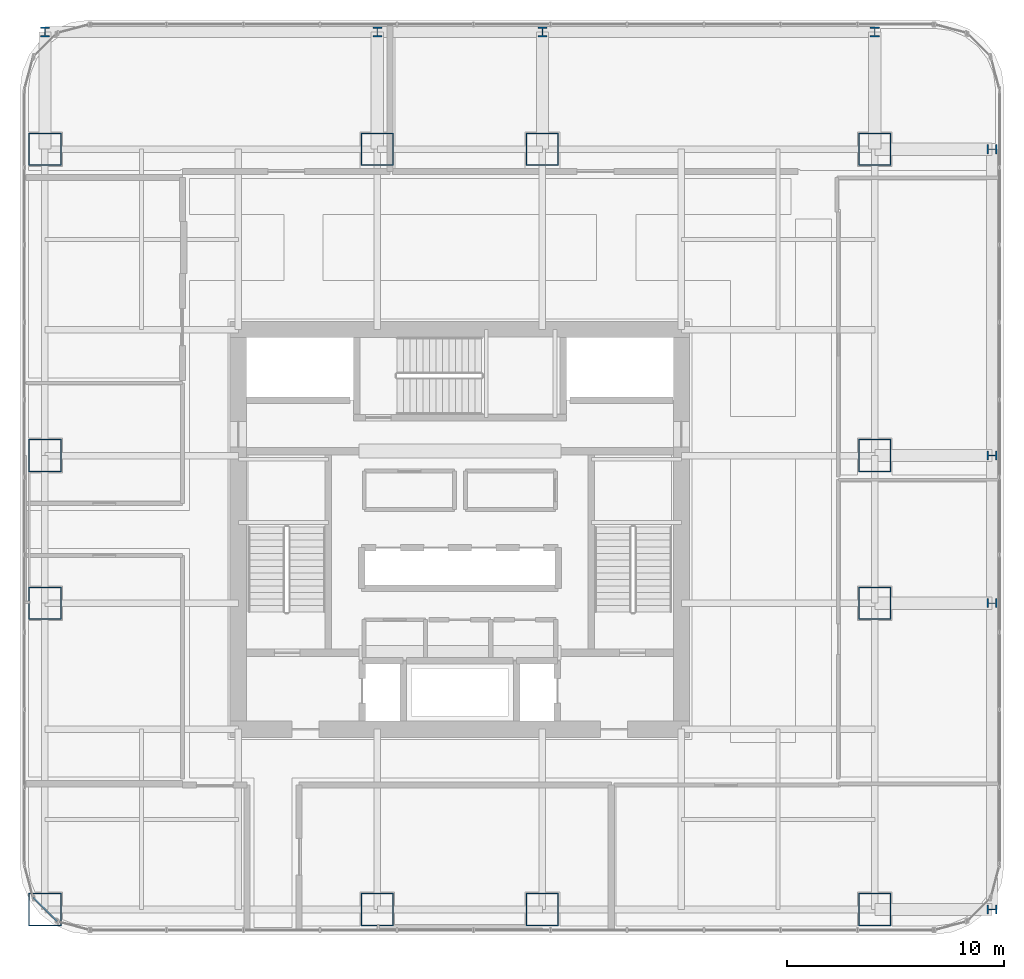
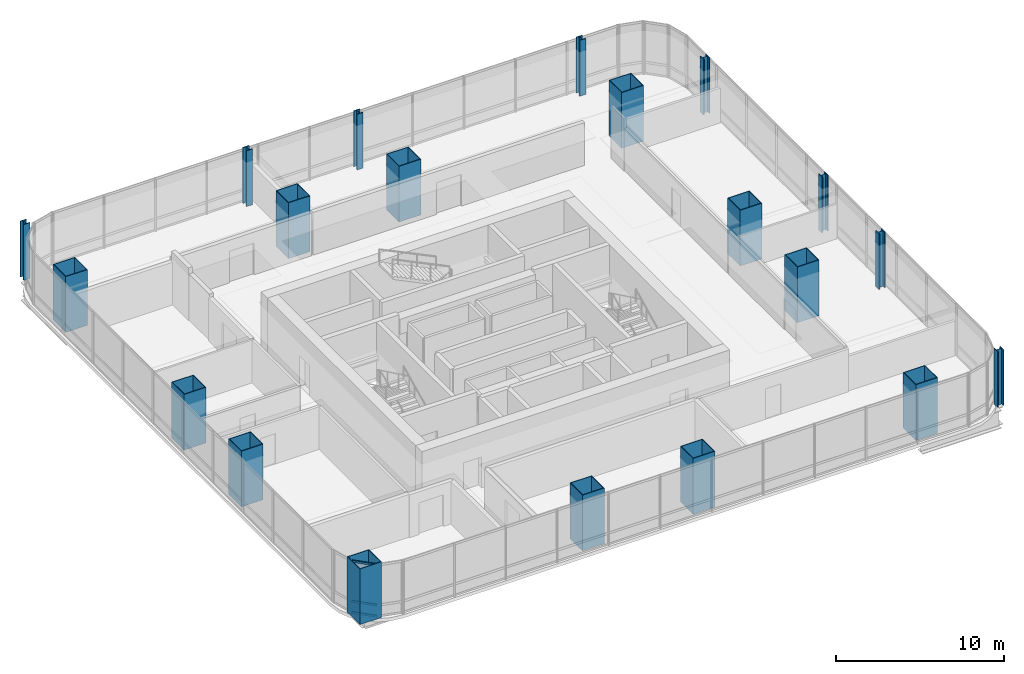
# One storey, part 1 of 34: 20 columns, 3 members, 1 element without a shape of its own.
"""IFC4 building model written with IfcOpenShell, lengths in metres."""

from ifc_helpers import new_model, si_unit, direction, frame, origin, origin_2d, place, context, subcontext, project, spatial, hollow_rectangle, i_section, extrude, material, material_profile, profile_set, type_object, element, aggregate, save


model = new_model("IFC4")

# Units and contexts
model_context = context("Model", 3, precision=1e-05, world=origin(), true_north=direction((0.0, 1.0)))
body_context = subcontext(model_context, "Body", "Model", "MODEL_VIEW")
ifc_project = project(units=[si_unit("LENGTHUNIT", "METRE"), si_unit("AREAUNIT", "SQUARE_METRE"), si_unit("VOLUMEUNIT", "CUBIC_METRE"), si_unit("PLANEANGLEUNIT", "RADIAN"), si_unit("MASSUNIT", "GRAM", prefix="KILO")], contexts=[model_context])

# Site, building, storey
site_placement = place(None, origin())
site = spatial("IfcSite", under=ifc_project, at=site_placement, CompositionType="ELEMENT")
building_placement = place(site_placement, origin())
building = spatial("IfcBuilding", under=site, at=building_placement, Name="Punatoya Terracotta Tower", CompositionType="ELEMENT")
storey_placement = place(building_placement, frame((0.0, 0.0, 97.050048828125)))
storey = spatial("IfcBuildingStorey", under=building, at=storey_placement, Name="L22", CompositionType="ELEMENT", Elevation=97.050048828125)

# Columns
ifc_material_1 = material(Name="Steel S460", Category="steel")
ifc_material_profile_1 = material_profile(ifc_material_1, i_section(OverallWidth=0.416015625, OverallDepth=0.446044921875, WebThickness=0.0390625, FlangeThickness=0.06201171875, FilletRadius=0.01806640625, at=origin_2d()))
ifc_profile_set_1 = profile_set([ifc_material_profile_1], Name="Steel S460")
column_type_1 = type_object("IfcColumnType", Name="COL-EX-M1", PredefinedType="COLUMN", material=ifc_profile_set_1)
for number, where, z_axis, x_axis, name in (
    (1, (-19.10009765625, 22.89990234375, 0.0), (0.0, 0.0, 1.0), (1.0, 0.0, 0.0), "L22 Exoskeleton Perimeter Column N1"),
    (2, (-3.800048828125, 22.89990234375, 0.0), (0.0, 0.0, 1.0), (1.0, 0.0, 0.0), "L22 Exoskeleton Perimeter Column N2"),
    (3, (3.800048828125, 22.89990234375, 0.0), (0.0, 0.0, 1.0), (1.0, 0.0, 0.0), "L22 Exoskeleton Perimeter Column N3"),
    (4, (19.10009765625, 22.89990234375, 0.0), (0.0, 0.0, 1.0), (1.0, 0.0, 0.0), "L22 Exoskeleton Perimeter Column N4"),
    (5, (24.5, -17.5, 0.0), (0.0, 0.0, 1.0), (0.0, 1.0, 0.0), "L22 Exoskeleton Perimeter Column E1"),
    (6, (24.5, -3.39990234375, 0.0), (0.0, 0.0, 1.0), (0.0, 1.0, 0.0), "L22 Exoskeleton Perimeter Column E2"),
    (7, (24.5, 3.39990234375, 0.0), (0.0, 0.0, 1.0), (0.0, 1.0, 0.0), "L22 Exoskeleton Perimeter Column E3"),
    (8, (24.5, 17.5, 0.0), (0.0, 0.0, 1.0), (0.0, 1.0, 0.0), "L22 Exoskeleton Perimeter Column E4"),
):
    element("IfcColumn", number, at=place(storey_placement, frame(where, z_axis=z_axis, x_axis=x_axis)), inside=storey, type_object=column_type_1, Name=name, PredefinedType="COLUMN", context=body_context, shape_type="SweptSolid", body=[
        extrude(i_section(OverallWidth=0.416015625, OverallDepth=0.446044921875, WebThickness=0.0390625, FlangeThickness=0.06201171875, FilletRadius=0.01806640625, at=origin_2d()), origin(), (0.0, 0.0, 1.0), 4.0478515625),
    ])
ifc_material_profile_2 = material_profile(ifc_material_1, hollow_rectangle(XDim=1.5, YDim=1.5, WallThickness=0.044921875, at=origin_2d()))
ifc_profile_set_2 = profile_set([ifc_material_profile_2], Name="Steel S460")
column_type_2 = type_object("IfcColumnType", Name="COL-MC-Z1", PredefinedType="COLUMN", material=ifc_profile_set_2)
for number, where, z_axis, x_axis, name in (
    (9, (-19.10009765625, -17.5, 0.0), (0.0, 0.0, 1.0), (1.0, 0.0, 0.0), "L22 Composite Mega-Column MC-01 (3-B)"),
    (10, (-3.800048828125, -17.5, 0.0), (0.0, 0.0, 1.0), (1.0, 0.0, 0.0), "L22 Composite Mega-Column MC-02 (5-B)"),
    (11, (3.800048828125, -17.5, 0.0), (0.0, 0.0, 1.0), (1.0, 0.0, 0.0), "L22 Composite Mega-Column MC-03 (7-B)"),
    (12, (19.10009765625, -17.5, 0.0), (0.0, 0.0, 1.0), (1.0, 0.0, 0.0), "L22 Composite Mega-Column MC-04 (9-B)"),
    (13, (19.10009765625, -3.39990234375, 0.0), (0.0, 0.0, 1.0), (1.0, 0.0, 0.0), "L22 Composite Mega-Column MC-05 (9-D)"),
    (14, (19.10009765625, 3.39990234375, 0.0), (0.0, 0.0, 1.0), (1.0, 0.0, 0.0), "L22 Composite Mega-Column MC-06 (9-E)"),
    (15, (19.10009765625, 17.5, 0.0), (0.0, 0.0, 1.0), (1.0, 0.0, 0.0), "L22 Composite Mega-Column MC-07 (9-G)"),
    (16, (3.800048828125, 17.5, 0.0), (0.0, 0.0, 1.0), (1.0, 0.0, 0.0), "L22 Composite Mega-Column MC-08 (7-G)"),
    (17, (-3.800048828125, 17.5, 0.0), (0.0, 0.0, 1.0), (1.0, 0.0, 0.0), "L22 Composite Mega-Column MC-09 (5-G)"),
    (18, (-19.10009765625, 17.5, 0.0), (0.0, 0.0, 1.0), (1.0, 0.0, 0.0), "L22 Composite Mega-Column MC-10 (3-G)"),
    (19, (-19.10009765625, 3.39990234375, 0.0), (0.0, 0.0, 1.0), (1.0, 0.0, 0.0), "L22 Composite Mega-Column MC-11 (3-E)"),
    (20, (-19.10009765625, -3.39990234375, 0.0), (0.0, 0.0, 1.0), (1.0, 0.0, 0.0), "L22 Composite Mega-Column MC-12 (3-D)"),
):
    element("IfcColumn", number, at=place(storey_placement, frame(where, z_axis=z_axis, x_axis=x_axis)), inside=storey, type_object=column_type_2, Name=name, PredefinedType="COLUMN", context=body_context, shape_type="SweptSolid", body=[
        extrude(hollow_rectangle(XDim=1.5, YDim=1.5, WallThickness=0.044921875, at=origin_2d()), origin(), (0.0, 0.0, 1.0), 4.050048828125),
    ])

# Curtain wall, members
ifc_material_2 = material(Name="Aluminium 6063-T6 + Double Low-E Glass", Category="aluminium")
curtain_wall_type = type_object("IfcCurtainWallType", Name="CW-M1", PredefinedType="NOTDEFINED", material=ifc_material_2)
curtain_wall_placement = place(storey_placement, origin())
curtain_wall = element("IfcCurtainWall", 21, at=curtain_wall_placement, inside=storey, type_object=curtain_wall_type, Name="L22 Curtain Wall CW-L22-CRN15", PredefinedType="NOTDEFINED")
ifc_material_3 = material(Name="Aluminium 6063-T6", Category="aluminium")
ifc_material_profile_3 = material_profile(ifc_material_3, hollow_rectangle(XDim=0.068115234375, YDim=0.14990234375, WallThickness=0.00390625, at=origin_2d()))
ifc_profile_set_3 = profile_set([ifc_material_profile_3], Name="Aluminium 6063-T6")
member_type = type_object("IfcMemberType", Name="CW-TRN-TYP", PredefinedType="USERDEFINED", material=ifc_profile_set_3)
member_1_placement = place(storey_placement, frame((-19.646484375, -16.94921875, 0.0400390625), z_axis=(0.707106781187, -0.707106781187, 0.0), x_axis=(0.707106781187, 0.707106781187, 0.0)))
member_1 = element("IfcMember", 22, at=member_1_placement, type_object=member_type, Name="CW-L22-CRN15 Transom 1", ObjectType="TRANSOM", PredefinedType="USERDEFINED", context=body_context, shape_type="SweptSolid", body=[
    extrude(hollow_rectangle(XDim=0.068115234375, YDim=0.14990234375, WallThickness=0.00390625, at=origin_2d()), origin(), (0.0, 0.0, 1.0), 1.552001953125),
])
member_2_placement = place(storey_placement, frame((-19.646484375, -16.94921875, 0.849853515625), z_axis=(0.707106781187, -0.707106781187, 0.0), x_axis=(0.707106781187, 0.707106781187, 0.0)))
member_2 = element("IfcMember", 23, at=member_2_placement, type_object=member_type, Name="CW-L22-CRN15 Transom 2", ObjectType="TRANSOM", PredefinedType="USERDEFINED", context=body_context, shape_type="SweptSolid", body=[
    extrude(hollow_rectangle(XDim=0.068115234375, YDim=0.14990234375, WallThickness=0.00390625, at=origin_2d()), origin(), (0.0, 0.0, 1.0), 1.552001953125),
])
member_3_placement = place(storey_placement, frame((-19.646484375, -16.94921875, 3.77001953125), z_axis=(0.707106781187, -0.707106781187, 0.0), x_axis=(0.707106781187, 0.707106781187, 0.0)))
member_3 = element("IfcMember", 24, at=member_3_placement, type_object=member_type, Name="CW-L22-CRN15 Transom 3", ObjectType="TRANSOM", PredefinedType="USERDEFINED", context=body_context, shape_type="SweptSolid", body=[
    extrude(hollow_rectangle(XDim=0.068115234375, YDim=0.14990234375, WallThickness=0.00390625, at=origin_2d()), origin(), (0.0, 0.0, 1.0), 1.552001953125),
])
aggregate(curtain_wall, [member_1, member_2, member_3])

save(model, "model.ifc")
